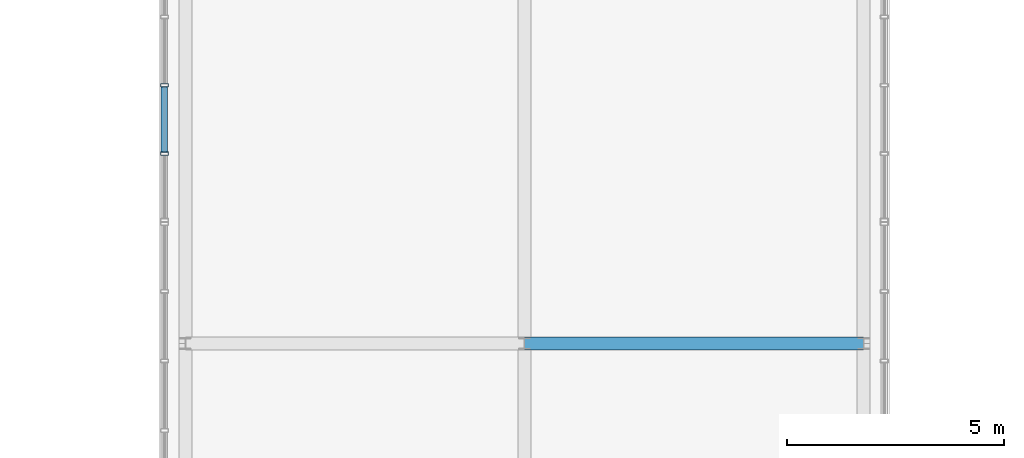
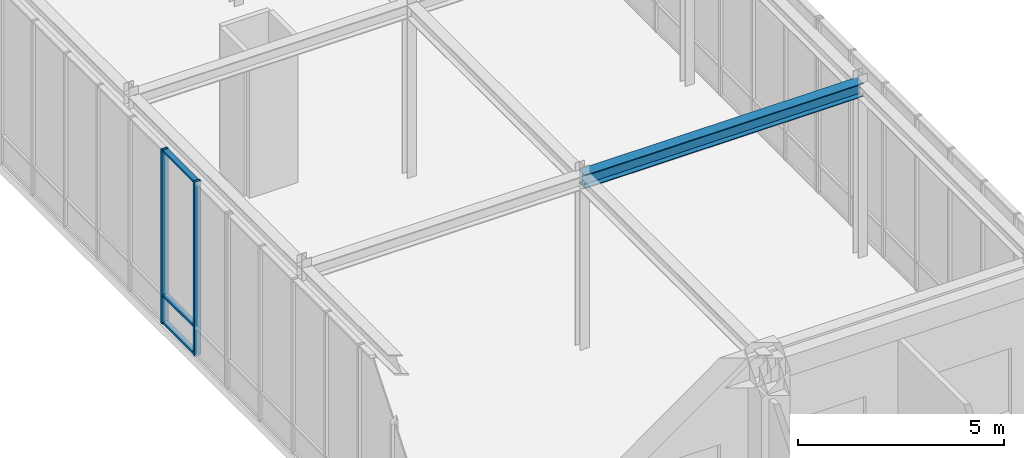
# One storey, part 22 of 139: 5 members, 1 beam, 1 element without a shape of its own.
"""IFC4 building model written with IfcOpenShell, lengths in metres."""

from ifc_helpers import new_model, si_unit, direction, frame, origin, origin_2d, place, context, subcontext, project, spatial, hollow_rectangle, i_section, extrude, material, layer, layer_set, material_profile, profile_set, type_object, element, aggregate, save


model = new_model("IFC4")

# Units and contexts
model_context = context("Model", 3, precision=1e-05, world=origin(), true_north=direction((0.0, 1.0)))
body_context = subcontext(model_context, "Body", "Model", "MODEL_VIEW")
ifc_project = project(units=[si_unit("LENGTHUNIT", "METRE"), si_unit("AREAUNIT", "SQUARE_METRE"), si_unit("VOLUMEUNIT", "CUBIC_METRE"), si_unit("PLANEANGLEUNIT", "RADIAN"), si_unit("MASSUNIT", "GRAM", prefix="KILO")], contexts=[model_context])

# Site, building, storey
site_placement = place(None, origin())
site = spatial("IfcSite", under=ifc_project, at=site_placement, CompositionType="ELEMENT")
building_placement = place(site_placement, origin())
building = spatial("IfcBuilding", under=site, at=building_placement, Name="Zayran Congress Hotel", CompositionType="ELEMENT")
storey_placement = place(building_placement, frame((0.0, 0.0, 5.39990234375)))
storey = spatial("IfcBuildingStorey", under=building, at=storey_placement, Name="L01", CompositionType="ELEMENT", Elevation=5.39990234375)

# Beam
ifc_material_1 = material(Name="Steel S355", Category="steel")
ifc_material_profile_1 = material_profile(ifc_material_1, i_section(OverallWidth=0.300048828125, OverallDepth=0.39990234375, WebThickness=0.013427734375, FlangeThickness=0.02392578125, at=origin_2d()), Name="HEB 400")
ifc_profile_set_1 = profile_set([ifc_material_profile_1], Name="Steel S355")
beam_type = type_object("IfcBeamType", Name="TP-BM-10", PredefinedType="BEAM", material=ifc_profile_set_1)
beam_placement = place(storey_placement, frame((84.0, 42.39990234375, 4.960205078125), z_axis=(1.0, 0.0, 0.0), x_axis=(0.0, 1.0, 0.0)))
element("IfcBeam", 1, at=beam_placement, inside=storey, type_object=beam_type, Name="BM-BR2-L01-2459", PredefinedType="BEAM", context=body_context, shape_type="SweptSolid", body=[
    extrude(i_section(OverallWidth=0.300048828125, OverallDepth=0.39990234375, WebThickness=0.013427734375, FlangeThickness=0.02392578125, at=origin_2d()), origin(), (0.0, 0.0, 1.0), 7.800048828125),
])

# Curtain wall, members
ifc_material_2 = material(Name="Anodised aluminium and low-E insulated glass", Category="aluminium")
ifc_layer = layer(ifc_material_2, 0.179931640625)
ifc_layer_set = layer_set([ifc_layer], Name="Anodised aluminium and low-E insulated glass")
curtain_wall_type = type_object("IfcCurtainWallType", Name="CW-BR2-L01-CW-BR2-11000-5160", PredefinedType="USERDEFINED", material=ifc_layer_set)
curtain_wall_placement = place(storey_placement, origin())
curtain_wall = element("IfcCurtainWall", 2, at=curtain_wall_placement, inside=storey, type_object=curtain_wall_type, Name="CW-BR2W-L01-1", ObjectType="CURTAIN WALL", PredefinedType="USERDEFINED")
ifc_material_3 = material(Name="Anodised aluminium framing", Category="aluminium")
ifc_material_profile_2 = material_profile(ifc_material_3, hollow_rectangle(XDim=0.080078125, YDim=0.179931640625, WallThickness=0.0048828125, at=origin_2d()), Name="RHS 180x80x5")
ifc_profile_set_2 = profile_set([ifc_material_profile_2], Name="Anodised aluminium framing")
member_type_1 = type_object("IfcMemberType", Name="TP-CWM-01", PredefinedType="MULLION", material=ifc_profile_set_2)
member_1_placement = place(storey_placement, frame((75.719970703125, 48.343017578125, 0.0), z_axis=(0.0, 0.0, 1.0), x_axis=(0.0, 1.0, 0.0)))
member_1 = element("IfcMember", 3, at=member_1_placement, type_object=member_type_1, Name="CW-BR2W-L01-1-M05", PredefinedType="MULLION", context=body_context, shape_type="SweptSolid", body=[
    extrude(hollow_rectangle(XDim=0.080078125, YDim=0.179931640625, WallThickness=0.0048828125, at=origin_2d()), origin(), (0.0, 0.0, 1.0), 5.16015625),
])
member_2_placement = place(storey_placement, frame((75.719970703125, 46.771484375, 0.0), z_axis=(0.0, 0.0, 1.0), x_axis=(0.0, 1.0, 0.0)))
member_2 = element("IfcMember", 4, at=member_2_placement, type_object=member_type_1, Name="CW-BR2W-L01-1-M06", PredefinedType="MULLION", context=body_context, shape_type="SweptSolid", body=[
    extrude(hollow_rectangle(XDim=0.080078125, YDim=0.179931640625, WallThickness=0.0048828125, at=origin_2d()), origin(), (0.0, 0.0, 1.0), 5.16015625),
])
ifc_material_profile_3 = material_profile(ifc_material_3, hollow_rectangle(XDim=0.06005859375, YDim=0.14990234375, WallThickness=0.00390625, at=origin_2d()), Name="RHS 150x60x4")
ifc_profile_set_3 = profile_set([ifc_material_profile_3], Name="Anodised aluminium framing")
member_type_2 = type_object("IfcMemberType", Name="TP-CWT-01", PredefinedType="USERDEFINED", material=ifc_profile_set_3)
member_3_placement = place(storey_placement, frame((75.719970703125, 48.302978515625, 0.030029296875), z_axis=(0.0, -1.0, 0.0), x_axis=(0.0, 0.0, 1.0)))
member_3 = element("IfcMember", 5, at=member_3_placement, type_object=member_type_2, Name="CW-BR2W-L01-1-T05-0", ObjectType="TRANSOM", PredefinedType="USERDEFINED", context=body_context, shape_type="SweptSolid", body=[
    extrude(hollow_rectangle(XDim=0.06005859375, YDim=0.14990234375, WallThickness=0.00390625, at=origin_2d()), origin(), (0.0, 0.0, 1.0), 1.49169921875),
])
member_4_placement = place(storey_placement, frame((75.719970703125, 48.302978515625, 0.840087890625), z_axis=(0.0, -1.0, 0.0), x_axis=(0.0, 0.0, 1.0)))
member_4 = element("IfcMember", 6, at=member_4_placement, type_object=member_type_2, Name="CW-BR2W-L01-1-T05-1", ObjectType="TRANSOM", PredefinedType="USERDEFINED", context=body_context, shape_type="SweptSolid", body=[
    extrude(hollow_rectangle(XDim=0.06005859375, YDim=0.14990234375, WallThickness=0.00390625, at=origin_2d()), origin(), (0.0, 0.0, 1.0), 1.49169921875),
])
member_5_placement = place(storey_placement, frame((75.719970703125, 48.302978515625, 5.130126953125), z_axis=(0.0, -1.0, 0.0), x_axis=(0.0, 0.0, 1.0)))
member_5 = element("IfcMember", 7, at=member_5_placement, type_object=member_type_2, Name="CW-BR2W-L01-1-T05-2", ObjectType="TRANSOM", PredefinedType="USERDEFINED", context=body_context, shape_type="SweptSolid", body=[
    extrude(hollow_rectangle(XDim=0.06005859375, YDim=0.14990234375, WallThickness=0.00390625, at=origin_2d()), origin(), (0.0, 0.0, 1.0), 1.49169921875),
])
aggregate(curtain_wall, [member_1, member_2, member_3, member_4, member_5])

save(model, "model.ifc")
